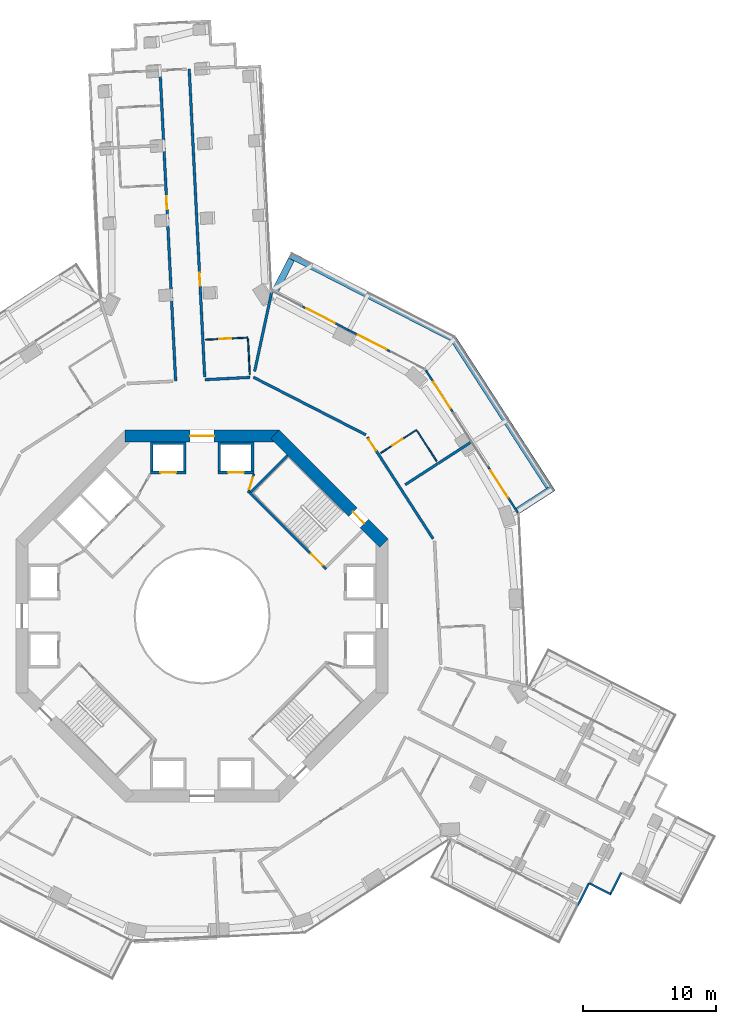
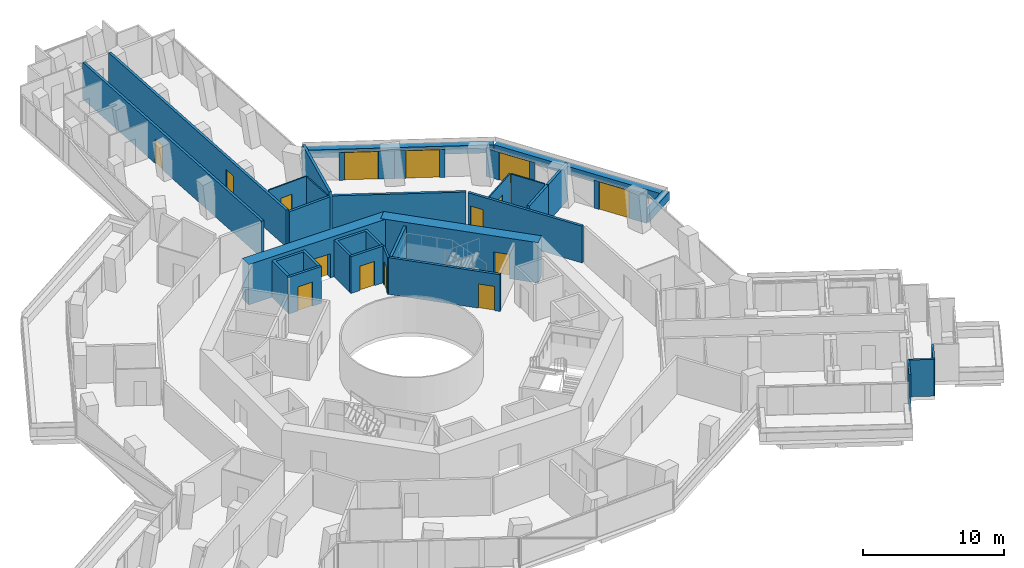
# One storey, part 21 of 25: 32 walls, 15 doors, 15 openings.
"""IFC4 building model written with IfcOpenShell, lengths in metres."""

from ifc_helpers import new_model, si_unit, direction, frame, frame_2d, origin, place, context, subcontext, project, spatial, polyline, rectangle, outline, extrude, material, layer, layer_set, type_object, element, fill, save


model = new_model("IFC4")

# Units and contexts
model_context = context("Model", 3, precision=1e-05, world=origin(), true_north=direction((0.0, 1.0)))
body_context = subcontext(model_context, "Body", "Model", "MODEL_VIEW")
ifc_project = project(units=[si_unit("LENGTHUNIT", "METRE"), si_unit("AREAUNIT", "SQUARE_METRE"), si_unit("VOLUMEUNIT", "CUBIC_METRE"), si_unit("PLANEANGLEUNIT", "RADIAN"), si_unit("MASSUNIT", "GRAM", prefix="KILO")], contexts=[model_context])

# Site, building, storey
site_placement = place(None, origin())
site = spatial("IfcSite", under=ifc_project, at=site_placement, CompositionType="ELEMENT")
building_placement = place(site_placement, origin())
building = spatial("IfcBuilding", under=site, at=building_placement, Name="Verdalira Terraces Hotel", CompositionType="ELEMENT")
storey_placement = place(building_placement, frame((0.0, 0.0, 46.0)))
storey = spatial("IfcBuildingStorey", under=building, at=storey_placement, Name="L09", CompositionType="ELEMENT", Elevation=46.0)

# Walls
ifc_material_1 = material(Name="Concrete C40", Category="concrete")
ifc_layer_1 = layer(ifc_material_1, 0.5)
ifc_layer_set_1 = layer_set([ifc_layer_1], Name="Balcony planter trough with tree")
wall_type_1 = type_object("IfcWallType", Name="Balcony planter trough with tree", PredefinedType="SOLIDWALL", material=ifc_layer_set_1)
wall_1_placement = place(storey_placement, frame((23.766113, 7.921143, 0.0), z_axis=(0.0, 0.0, 1.0), x_axis=(0.839844411, 0.542827196, 0.0)))
element("IfcWall", 1, at=wall_1_placement, inside=storey, type_object=wall_type_1, Name="Balcony planter", PredefinedType="SOLIDWALL", context=body_context, shape_type="SweptSolid", body=[
    extrude(rectangle(XDim=3.199219, YDim=0.5, at=frame_2d((1.599609, 0.0))), origin(), (0.0, 0.0, 1.0), 0.699951),
])
wall_2_placement = place(storey_placement, frame((26.107178, 9.731934, 0.0), z_axis=(0.0, 0.0, 1.0), x_axis=(-0.542889903, 0.839803878, 0.0)))
element("IfcWall", 2, at=wall_2_placement, inside=storey, type_object=wall_type_1, Name="Balcony planter", PredefinedType="SOLIDWALL", context=body_context, shape_type="SweptSolid", body=[
    extrude(rectangle(XDim=13.223633, YDim=0.5, at=frame_2d((6.611816, 0.0))), origin(), (0.0, 0.0, 1.0), 0.699951),
])
wall_3_placement = place(storey_placement, frame((18.832275, 20.924072, 0.0), z_axis=(0.0, 0.0, 1.0), x_axis=(-0.89005516, 0.45585284, 0.0)))
element("IfcWall", 3, at=wall_3_placement, inside=storey, type_object=wall_type_1, Name="Balcony planter", PredefinedType="SOLIDWALL", context=body_context, shape_type="SweptSolid", body=[
    extrude(rectangle(XDim=13.723389, YDim=0.5, at=frame_2d((6.861816, 0.0))), origin(), (0.0, 0.0, 1.0), 0.699951),
])
wall_4_placement = place(storey_placement, frame((6.726318, 26.843506, 0.0), z_axis=(0.0, 0.0, 1.0), x_axis=(-0.45587587, -0.890043365, 0.0)))
element("IfcWall", 4, at=wall_4_placement, inside=storey, type_object=wall_type_1, Name="Balcony planter", PredefinedType="SOLIDWALL", context=body_context, shape_type="SweptSolid", body=[
    extrude(rectangle(XDim=2.699219, YDim=0.5, at=frame_2d((1.349609, 0.0))), origin(), (0.0, 0.0, 1.0), 0.699951),
])

# Wall, opening, door
ifc_material_2 = material(Name="Moisture-resistant gypsum board partition")
ifc_layer_2 = layer(ifc_material_2, 0.10009765625)
ifc_layer_set_2 = layer_set([ifc_layer_2], Name="Bathroom partition 100 mm")
wall_type_2 = type_object("IfcWallType", Name="Bathroom partition 100 mm", PredefinedType="PARTITIONING", material=ifc_layer_set_2)
wall_5_placement = place(storey_placement, frame((3.451416, 20.958252, 0.0), z_axis=(0.0, 0.0, 1.0), x_axis=(-0.998735349, -0.050276266, 0.0)))
wall_5 = element("IfcWall", 5, at=wall_5_placement, inside=storey, type_object=wall_type_2, Name="Bathroom partition", PredefinedType="PARTITIONING", context=body_context, shape_type="SweptSolid", body=[
    extrude(rectangle(XDim=3.200195, YDim=0.100098, at=frame_2d((1.600098, 0.0))), origin(), (0.0, 0.0, 1.0), 3.189941),
])
opening_1_placement = place(wall_5_placement, frame((1.25, 0.0, 0.0)))
opening_1 = element("IfcOpeningElement", 6, at=opening_1_placement, cuts=wall_5, Name="Opening L09-102", PredefinedType="OPENING", context=body_context, shape_type="SweptSolid", body=[
    extrude(rectangle(XDim=0.899902, YDim=2.100098, at=frame_2d((0.449951, 1.050049))), frame((0.0, 0.060059, 0.0), z_axis=(0.0, -1.0, 0.0), x_axis=(1.0, 0.0, 0.0)), (0.0, 0.0, 1.0), 0.120117),
])
ifc_material_3 = material(Name="Timber door", Category="wood")
door_type_1 = type_object("IfcDoorType", Name="Bathroom door 900 x 2100", OperationType="NOTDEFINED", PredefinedType="DOOR", material=ifc_material_3)
door_1_placement = place(opening_1_placement, origin())
door_1 = element("IfcDoor", 7, at=door_1_placement, inside=storey, type_object=door_type_1, Name="Bathroom door 0901", OperationType="SINGLE_SWING_LEFT", OverallHeight=2.10009765625, OverallWidth=0.89990234375, PredefinedType="DOOR", context=body_context, shape_type="SweptSolid", body=[
    extrude(rectangle(XDim=0.899902, YDim=2.100098, at=frame_2d((0.449951, 1.050049))), frame((0.0, 0.024902, 0.0), z_axis=(0.0, -1.0, 0.0), x_axis=(1.0, 0.0, 0.0)), (0.0, 0.0, 1.0), 0.050049),
])
fill(opening_1, door_1)

# Wall
wall_6_placement = place(storey_placement, frame((3.456299, 20.858398, 0.0), z_axis=(0.0, 0.0, 1.0), x_axis=(0.050271319, -0.998735598, 0.0)))
element("IfcWall", 8, at=wall_6_placement, inside=storey, type_object=wall_type_2, Name="Bathroom partition", PredefinedType="PARTITIONING", context=body_context, shape_type="SweptSolid", body=[
    extrude(rectangle(XDim=2.700195, YDim=0.100098, at=frame_2d((1.350098, 0.0))), origin(), (0.0, 0.0, 1.0), 3.189941),
])

# Wall, opening, door
wall_7_placement = place(storey_placement, frame((16.140381, 14.005859, 0.0), z_axis=(0.0, 0.0, 1.0), x_axis=(-0.83984229, -0.542830477, 0.0)))
wall_7 = element("IfcWall", 9, at=wall_7_placement, inside=storey, type_object=wall_type_2, Name="Bathroom partition", PredefinedType="PARTITIONING", context=body_context, shape_type="SweptSolid", body=[
    extrude(rectangle(XDim=3.199951, YDim=0.100098, at=frame_2d((1.600098, 0.0))), origin(), (0.0, 0.0, 1.0), 3.189941),
])
opening_2_placement = place(wall_7_placement, frame((1.25, 0.0, 0.0)))
opening_2 = element("IfcOpeningElement", 10, at=opening_2_placement, cuts=wall_7, Name="Opening L09-132", PredefinedType="OPENING", context=body_context, shape_type="SweptSolid", body=[
    extrude(rectangle(XDim=0.899902, YDim=2.100098, at=frame_2d((0.449951, 1.050049))), frame((0.0, 0.060059, 0.0), z_axis=(0.0, -1.0, 0.0), x_axis=(1.0, 0.0, 0.0)), (0.0, 0.0, 1.0), 0.120117),
])
door_2_placement = place(opening_2_placement, origin())
door_2 = element("IfcDoor", 11, at=door_2_placement, inside=storey, type_object=door_type_1, Name="Bathroom door 0915", OperationType="SINGLE_SWING_LEFT", OverallHeight=2.10009765625, OverallWidth=0.89990234375, PredefinedType="DOOR", context=body_context, shape_type="SweptSolid", body=[
    extrude(rectangle(XDim=0.899902, YDim=2.100098, at=frame_2d((0.449951, 1.050049))), frame((0.0, 0.024902, 0.0), z_axis=(0.0, -1.0, 0.0), x_axis=(1.0, 0.0, 0.0)), (0.0, 0.0, 1.0), 0.050049),
])
fill(opening_2, door_2)

# Walls
wall_8_placement = place(storey_placement, frame((16.19458, 13.921875, 0.0), z_axis=(0.0, 0.0, 1.0), x_axis=(0.542876316, -0.839812661, 0.0)))
element("IfcWall", 12, at=wall_8_placement, inside=storey, type_object=wall_type_2, Name="Bathroom partition", PredefinedType="PARTITIONING", context=body_context, shape_type="SweptSolid", body=[
    extrude(rectangle(XDim=2.700195, YDim=0.100098, at=frame_2d((1.350098, 0.0))), origin(), (0.0, 0.0, 1.0), 3.189941),
])
ifc_material_4 = material(Name="Concrete C50", Category="concrete")
ifc_layer_3 = layer(ifc_material_4, 0.199951171875)
ifc_layer_set_3 = layer_set([ifc_layer_3], Name="Core RC wall 200 C50")
wall_type_3 = type_object("IfcWallType", Name="Core RC wall 200 C50", PredefinedType="SOLIDWALL", material=ifc_layer_set_3)
wall_9_placement = place(storey_placement, origin())
element("IfcWall", 13, at=wall_9_placement, inside=storey, type_object=wall_type_3, Name="L09 shaft wall N1", PredefinedType="SOLIDWALL", context=body_context, shape_type="SweptSolid", body=[
    extrude(outline(polyline([(3.899902, 13.100098), (3.899902, 10.899902), (3.699951, 10.899902), (3.699951, 12.899902), (1.399902, 12.899902), (1.399902, 10.899902), (1.199951, 10.899902), (1.199951, 13.100098), (3.899902, 13.100098)])), origin(), (0.0, 0.0, 1.0), 3.189941),
])

# Wall, opening, door
wall_10_placement = place(storey_placement, frame((1.199951, 10.800049, 0.0), z_axis=(0.0, 0.0, 1.0), x_axis=(1.0, 0.0, 0.0)))
wall_10 = element("IfcWall", 14, at=wall_10_placement, inside=storey, type_object=wall_type_3, Name="L09 shaft front wall N1", PredefinedType="SOLIDWALL", context=body_context, shape_type="SweptSolid", body=[
    extrude(rectangle(XDim=2.699951, YDim=0.199951, at=frame_2d((1.350098, 0.0))), origin(), (0.0, 0.0, 1.0), 3.189941),
])
opening_3_placement = place(wall_10_placement, frame((0.75, 0.0, 0.0)))
opening_3 = element("IfcOpeningElement", 15, at=opening_3_placement, cuts=wall_10, Name="Opening LD-L09-803", PredefinedType="OPENING", context=body_context, shape_type="SweptSolid", body=[
    extrude(rectangle(XDim=1.199951, YDim=2.100098, at=frame_2d((0.600098, 1.050049))), frame((0.0, 0.109863, 0.0), z_axis=(0.0, -1.0, 0.0), x_axis=(1.0, 0.0, 0.0)), (0.0, 0.0, 1.0), 0.219971),
])
ifc_material_5 = material(Name="Stainless steel", Category="steel")
door_type_2 = type_object("IfcDoorType", Name="Landing door 1200 x 2100", OperationType="NOTDEFINED", PredefinedType="DOOR", material=ifc_material_5)
door_3_placement = place(opening_3_placement, origin())
door_3 = element("IfcDoor", 16, at=door_3_placement, inside=storey, type_object=door_type_2, Name="Lift landing door LR3 L09", OperationType="DOUBLE_DOOR_SLIDING", OverallHeight=2.10009765625, OverallWidth=1.199951171875, PredefinedType="DOOR", context=body_context, shape_type="SweptSolid", body=[
    extrude(rectangle(XDim=1.199951, YDim=2.100098, at=frame_2d((0.600098, 1.050049))), frame((0.0, 0.024902, 0.0), z_axis=(0.0, -1.0, 0.0), x_axis=(1.0, 0.0, 0.0)), (0.0, 0.0, 1.0), 0.050049),
])
fill(opening_3, door_3)

# Wall
wall_11_placement = place(storey_placement, origin())
element("IfcWall", 17, at=wall_11_placement, inside=storey, type_object=wall_type_3, Name="L09 shaft wall N2", PredefinedType="SOLIDWALL", context=body_context, shape_type="SweptSolid", body=[
    extrude(outline(polyline([(-3.899902, 10.899902), (-3.899902, 13.100098), (-1.199951, 13.100098), (-1.199951, 10.899902), (-1.399902, 10.899902), (-1.399902, 12.899902), (-3.699951, 12.899902), (-3.699951, 10.899902), (-3.899902, 10.899902)])), origin(), (0.0, 0.0, 1.0), 3.189941),
])

# Wall, opening, door
wall_12_placement = place(storey_placement, frame((-1.199951, 10.800049, 0.0), z_axis=(0.0, 0.0, 1.0), x_axis=(-1.0, 0.0, 0.0)))
wall_12 = element("IfcWall", 18, at=wall_12_placement, inside=storey, type_object=wall_type_3, Name="L09 shaft front wall N2", PredefinedType="SOLIDWALL", context=body_context, shape_type="SweptSolid", body=[
    extrude(rectangle(XDim=2.699951, YDim=0.199951, at=frame_2d((1.350098, 0.0))), origin(), (0.0, 0.0, 1.0), 3.189941),
])
opening_4_placement = place(wall_12_placement, frame((0.75, 0.0, 0.0)))
opening_4 = element("IfcOpeningElement", 19, at=opening_4_placement, cuts=wall_12, Name="Opening LD-L09-804", PredefinedType="OPENING", context=body_context, shape_type="SweptSolid", body=[
    extrude(rectangle(XDim=1.199951, YDim=2.100098, at=frame_2d((0.600098, 1.050049))), frame((0.0, 0.109863, 0.0), z_axis=(0.0, -1.0, 0.0), x_axis=(1.0, 0.0, 0.0)), (0.0, 0.0, 1.0), 0.219971),
])
door_4_placement = place(opening_4_placement, origin())
door_4 = element("IfcDoor", 20, at=door_4_placement, inside=storey, type_object=door_type_2, Name="Lift landing door LR4 L09", OperationType="DOUBLE_DOOR_SLIDING", OverallHeight=2.10009765625, OverallWidth=1.199951171875, PredefinedType="DOOR", context=body_context, shape_type="SweptSolid", body=[
    extrude(rectangle(XDim=1.199951, YDim=2.100098, at=frame_2d((0.600098, 1.050049))), frame((0.0, 0.024902, 0.0), z_axis=(0.0, -1.0, 0.0), x_axis=(1.0, 0.0, 0.0)), (0.0, 0.0, 1.0), 0.050049),
])
fill(opening_4, door_4)

wall_13_placement = place(storey_placement, frame((3.5354, 9.33374, 0.0), z_axis=(0.0, 0.0, 1.0), x_axis=(0.707106781, -0.707106781, 0.0)))
wall_13 = element("IfcWall", 21, at=wall_13_placement, inside=storey, type_object=wall_type_3, Name="L09 stair ST1 front wall", PredefinedType="SOLIDWALL", context=body_context, shape_type="SweptSolid", body=[
    extrude(rectangle(XDim=8.200195, YDim=0.199951, at=frame_2d((4.100098, 0.0))), origin(), (0.0, 0.0, 1.0), 3.189941),
])
opening_5_placement = place(wall_13_placement, frame((6.600098, 0.0, 0.0)))
opening_5 = element("IfcOpeningElement", 22, at=opening_5_placement, cuts=wall_13, Name="Opening L09-809", PredefinedType="OPENING", context=body_context, shape_type="SweptSolid", body=[
    extrude(rectangle(XDim=1.199951, YDim=2.100098, at=frame_2d((0.600098, 1.050049))), frame((0.0, 0.109863, 0.0), z_axis=(0.0, -1.0, 0.0), x_axis=(1.0, 0.0, 0.0)), (0.0, 0.0, 1.0), 0.219971),
])
ifc_material_6 = material(Name="Steel fire door", Category="steel")
door_type_3 = type_object("IfcDoorType", Name="Stair door 1200 x 2100", OperationType="NOTDEFINED", PredefinedType="DOOR", material=ifc_material_6)
door_5_placement = place(opening_5_placement, origin())
door_5 = element("IfcDoor", 23, at=door_5_placement, inside=storey, type_object=door_type_3, Name="Stair door ST1 L09", OperationType="SINGLE_SWING_RIGHT", OverallHeight=2.10009765625, OverallWidth=1.199951171875, PredefinedType="DOOR", context=body_context, shape_type="SweptSolid", body=[
    extrude(rectangle(XDim=1.199951, YDim=2.100098, at=frame_2d((0.600098, 1.050049))), frame((0.0, 0.024902, 0.0), z_axis=(0.0, -1.0, 0.0), x_axis=(1.0, 0.0, 0.0)), (0.0, 0.0, 1.0), 0.050049),
])
fill(opening_5, door_5)

# Wall
wall_14_placement = place(storey_placement, frame((3.677002, 9.33374, 0.0), z_axis=(0.0, 0.0, 1.0), x_axis=(0.707106781, 0.707106781, 0.0)))
element("IfcWall", 24, at=wall_14_placement, inside=storey, type_object=wall_type_3, Name="L09 stair ST1 end wall 2", PredefinedType="SOLIDWALL", context=body_context, shape_type="SweptSolid", body=[
    extrude(rectangle(XDim=3.900146, YDim=0.199951, at=frame_2d((1.950195, 0.0))), origin(), (0.0, 0.0, 1.0), 3.189941),
])

# Wall, opening, door
ifc_material_7 = material(Name="Gypsum board partition")
ifc_layer_4 = layer(ifc_material_7, 0.14990234375)
ifc_layer_set_4 = layer_set([ifc_layer_4], Name="Core partition 150 mm")
wall_type_4 = type_object("IfcWallType", Name="Core partition 150 mm", PredefinedType="PARTITIONING", material=ifc_layer_set_4)
wall_15_placement = place(storey_placement, frame((3.464844, 9.263184, 0.0), z_axis=(0.0, 0.0, 1.0), x_axis=(0.289808785, 0.957084567, 0.0)))
wall_15 = element("IfcWall", 25, at=wall_15_placement, inside=storey, type_object=wall_type_4, Name="Room partition L09", PredefinedType="PARTITIONING", context=body_context, shape_type="SweptSolid", body=[
    extrude(rectangle(XDim=1.501221, YDim=0.149902, at=frame_2d((0.750488, 0.0))), origin(), (0.0, 0.0, 1.0), 3.189941),
])
opening_6_placement = place(wall_15_placement, frame((0.300781, 0.0, 0.0)))
opening_6 = element("IfcOpeningElement", 26, at=opening_6_placement, cuts=wall_15, Name="Opening L09-820", PredefinedType="OPENING", context=body_context, shape_type="SweptSolid", body=[
    extrude(rectangle(XDim=0.899902, YDim=2.100098, at=frame_2d((0.449951, 1.050049))), frame((0.0, 0.084961, 0.0), z_axis=(0.0, -1.0, 0.0), x_axis=(1.0, 0.0, 0.0)), (0.0, 0.0, 1.0), 0.169922),
])
ifc_material_8 = material(Name="Steel fire door", Category="steel")
door_type_4 = type_object("IfcDoorType", Name="Core room door 900 x 2100", OperationType="NOTDEFINED", PredefinedType="DOOR", material=ifc_material_8)
door_6_placement = place(opening_6_placement, origin())
door_6 = element("IfcDoor", 27, at=door_6_placement, inside=storey, type_object=door_type_4, Name="Door L09 room1", OperationType="SINGLE_SWING_LEFT", OverallHeight=2.10009765625, OverallWidth=0.89990234375, PredefinedType="DOOR", context=body_context, shape_type="SweptSolid", body=[
    extrude(rectangle(XDim=0.899902, YDim=2.100098, at=frame_2d((0.449951, 1.050049))), frame((0.0, 0.024902, 0.0), z_axis=(0.0, -1.0, 0.0), x_axis=(1.0, 0.0, 0.0)), (0.0, 0.0, 1.0), 0.050049),
])
fill(opening_6, door_6)

ifc_material_9 = material(Name="Concrete C70", Category="concrete")
ifc_layer_5 = layer(ifc_material_9, 0.89990234375)
ifc_layer_set_5 = layer_set([ifc_layer_5], Name="Core wall 900 C70")
wall_type_5 = type_object("IfcWallType", Name="Core wall 900 C70", PredefinedType="SHEAR", material=ifc_layer_set_5)
wall_16_placement = place(storey_placement, frame((13.681885, 5.480713, 0.0), z_axis=(0.0, 0.0, 1.0), x_axis=(-0.707106781, 0.707106781, 0.0)))
wall_16 = element("IfcWall", 28, at=wall_16_placement, inside=storey, type_object=wall_type_5, Name="Core wall CW-L09-2", PredefinedType="SHEAR", context=body_context, shape_type="SweptSolid", body=[
    extrude(rectangle(XDim=11.598145, YDim=0.899902, at=frame_2d((5.799072, 0.0))), origin(), (0.0, 0.0, 1.0), 3.5),
])
opening_7_placement = place(wall_16_placement, frame((2.099121, 0.0, 0.0)))
opening_7 = element("IfcOpeningElement", 29, at=opening_7_placement, cuts=wall_16, Name="Opening L09-816", PredefinedType="OPENING", context=body_context, shape_type="SweptSolid", body=[
    extrude(rectangle(XDim=1.199951, YDim=2.100098, at=frame_2d((0.600098, 1.050049))), frame((0.0, 0.459961, 0.0), z_axis=(0.0, -1.0, 0.0), x_axis=(1.0, 0.0, 0.0)), (0.0, 0.0, 1.0), 0.919922),
])
door_7_placement = place(opening_7_placement, origin())
door_7 = element("IfcDoor", 30, at=door_7_placement, inside=storey, type_object=door_type_3, Name="Stair exit door ST1 L09", OperationType="SINGLE_SWING_LEFT", OverallHeight=2.10009765625, OverallWidth=1.199951171875, PredefinedType="DOOR", context=body_context, shape_type="SweptSolid", body=[
    extrude(rectangle(XDim=1.199951, YDim=2.100098, at=frame_2d((0.600098, 1.050049))), frame((0.0, 0.024902, 0.0), z_axis=(0.0, -1.0, 0.0), x_axis=(1.0, 0.0, 0.0)), (0.0, 0.0, 1.0), 0.050049),
])
fill(opening_7, door_7)

wall_17_placement = place(storey_placement, frame((5.799072, 13.550049, 0.0), z_axis=(0.0, 0.0, 1.0), x_axis=(-1.0, 0.0, 0.0)))
wall_17 = element("IfcWall", 31, at=wall_17_placement, inside=storey, type_object=wall_type_5, Name="Core wall CW-L09-3", PredefinedType="SHEAR", context=body_context, shape_type="SweptSolid", body=[
    extrude(rectangle(XDim=11.598145, YDim=0.899902, at=frame_2d((5.799072, 0.0))), origin(), (0.0, 0.0, 1.0), 3.5),
])
opening_8_placement = place(wall_17_placement, frame((4.898926, 0.0, 0.0)))
opening_8 = element("IfcOpeningElement", 32, at=opening_8_placement, cuts=wall_17, Name="Opening L09-813", PredefinedType="OPENING", context=body_context, shape_type="SweptSolid", body=[
    extrude(rectangle(XDim=1.800049, YDim=2.100098, at=frame_2d((0.899902, 1.050049))), frame((0.0, 0.459961, 0.0), z_axis=(0.0, -1.0, 0.0), x_axis=(1.0, 0.0, 0.0)), (0.0, 0.0, 1.0), 0.919922),
])
ifc_material_10 = material(Name="Steel fire door", Category="steel")
door_type_5 = type_object("IfcDoorType", Name="Core entry door pair 1800 x 2100", OperationType="NOTDEFINED", PredefinedType="DOOR", material=ifc_material_10)
door_8_placement = place(opening_8_placement, origin())
door_8 = element("IfcDoor", 33, at=door_8_placement, inside=storey, type_object=door_type_5, Name="Core entry door L09 2", OperationType="DOUBLE_DOOR_SINGLE_SWING", OverallHeight=2.10009765625, OverallWidth=1.800048828125, PredefinedType="DOOR", context=body_context, shape_type="SweptSolid", body=[
    extrude(rectangle(XDim=1.800049, YDim=2.100098, at=frame_2d((0.899902, 1.050049))), frame((0.0, 0.024902, 0.0), z_axis=(0.0, -1.0, 0.0), x_axis=(1.0, 0.0, 0.0)), (0.0, 0.0, 1.0), 0.050049),
])
fill(opening_8, door_8)

# Walls
ifc_material_11 = material(Name="Fire-rated gypsum board wall")
ifc_layer_6 = layer(ifc_material_11, 0.199951171875)
ifc_layer_set_6 = layer_set([ifc_layer_6], Name="Demising wall 200 mm")
wall_type_6 = type_object("IfcWallType", Name="Demising wall 200 mm", PredefinedType="SOLIDWALL", material=ifc_layer_set_6)
wall_18_placement = place(storey_placement, frame((5.241455, 24.407715, 0.0), z_axis=(0.0, 0.0, 1.0), x_axis=(-0.209939641, -0.977714348, 0.0)))
element("IfcWall", 34, at=wall_18_placement, inside=storey, type_object=wall_type_6, Name="Demising wall", PredefinedType="SOLIDWALL", context=body_context, shape_type="SweptSolid", body=[
    extrude(rectangle(XDim=6.13208, YDim=0.199951, at=frame_2d((3.065918, 0.0))), origin(), (0.0, 0.0, 1.0), 3.189941),
])
wall_19_placement = place(storey_placement, frame((15.289307, 9.883545, 0.0), z_axis=(0.0, 0.0, 1.0), x_axis=(0.839815863, 0.542871363, 0.0)))
element("IfcWall", 35, at=wall_19_placement, inside=storey, type_object=wall_type_6, Name="Demising wall", PredefinedType="SOLIDWALL", context=body_context, shape_type="SweptSolid", body=[
    extrude(rectangle(XDim=2.904785, YDim=0.199951, at=frame_2d((1.452393, 0.0))), origin(), (0.0, 0.0, 1.0), 3.189941),
])
wall_20_placement = place(storey_placement, frame((17.767334, 11.485352, 0.0), z_axis=(0.0, 0.0, 1.0), x_axis=(0.839805289, 0.542887721, 0.0)))
element("IfcWall", 36, at=wall_20_placement, inside=storey, type_object=wall_type_6, Name="Demising wall", PredefinedType="SOLIDWALL", context=body_context, shape_type="SweptSolid", body=[
    extrude(rectangle(XDim=2.951904, YDim=0.199951, at=frame_2d((1.476074, 0.0))), origin(), (0.0, 0.0, 1.0), 3.189941),
])

# Wall, opening, door
ifc_material_12 = material(Name="Fire-rated gypsum board wall")
ifc_layer_7 = layer(ifc_material_12, 0.199951171875)
ifc_layer_set_7 = layer_set([ifc_layer_7], Name="Guest corridor wall 200 mm")
wall_type_7 = type_object("IfcWallType", Name="Guest corridor wall 200 mm", PredefinedType="SOLIDWALL", material=ifc_layer_set_7)
wall_21_placement = place(storey_placement, frame((-1.990967, 17.680664, 0.0), z_axis=(0.0, 0.0, 1.0), x_axis=(-0.050235008, 0.998737425, 0.0)))
wall_21 = element("IfcWall", 37, at=wall_21_placement, inside=storey, type_object=wall_type_7, Name="Guest corridor wall", PredefinedType="SOLIDWALL", context=body_context, shape_type="SweptSolid", body=[
    extrude(rectangle(XDim=23.420166, YDim=0.199951, at=frame_2d((11.709961, 0.0))), origin(), (0.0, 0.0, 1.0), 3.189941),
])
opening_9_placement = place(wall_21_placement, frame((12.949951, 0.0, 0.0)))
opening_9 = element("IfcOpeningElement", 38, at=opening_9_placement, cuts=wall_21, Name="Opening L09-106", PredefinedType="OPENING", context=body_context, shape_type="SweptSolid", body=[
    extrude(rectangle(XDim=1.0, YDim=2.100098, at=frame_2d((0.5, 1.050049))), frame((0.0, 0.109863, 0.0), z_axis=(0.0, -1.0, 0.0), x_axis=(1.0, 0.0, 0.0)), (0.0, 0.0, 1.0), 0.219971),
])
ifc_material_13 = material(Name="Timber fire door", Category="wood")
door_type_6 = type_object("IfcDoorType", Name="Guest entry door 1000 x 2100", OperationType="NOTDEFINED", PredefinedType="DOOR", material=ifc_material_13)
door_9_placement = place(opening_9_placement, origin())
door_9 = element("IfcDoor", 39, at=door_9_placement, inside=storey, type_object=door_type_6, Name="Guest entry door 0903", OperationType="SINGLE_SWING_LEFT", OverallHeight=2.10009765625, OverallWidth=1.0, PredefinedType="DOOR", context=body_context, shape_type="SweptSolid", body=[
    extrude(rectangle(XDim=1.0, YDim=2.100098, at=frame_2d((0.5, 1.050049))), frame((0.0, 0.024902, 0.0), z_axis=(0.0, -1.0, 0.0), x_axis=(1.0, 0.0, 0.0)), (0.0, 0.0, 1.0), 0.050049),
])
fill(opening_9, door_9)

wall_22_placement = place(storey_placement, frame((-0.970459, 41.181641, 0.0), z_axis=(0.0, 0.0, 1.0), x_axis=(0.050247535, -0.998736795, 0.0)))
wall_22 = element("IfcWall", 40, at=wall_22_placement, inside=storey, type_object=wall_type_7, Name="Guest corridor wall", PredefinedType="SOLIDWALL", context=body_context, shape_type="SweptSolid", body=[
    extrude(rectangle(XDim=23.219971, YDim=0.199951, at=frame_2d((11.609863, 0.0))), origin(), (0.0, 0.0, 1.0), 3.189941),
])
opening_10_placement = place(wall_22_placement, frame((15.350098, 0.0, 0.0)))
opening_10 = element("IfcOpeningElement", 41, at=opening_10_placement, cuts=wall_22, Name="Opening L09-101", PredefinedType="OPENING", context=body_context, shape_type="SweptSolid", body=[
    extrude(rectangle(XDim=1.0, YDim=2.100098, at=frame_2d((0.5, 1.050049))), frame((0.0, 0.109863, 0.0), z_axis=(0.0, -1.0, 0.0), x_axis=(1.0, 0.0, 0.0)), (0.0, 0.0, 1.0), 0.219971),
])
door_10_placement = place(opening_10_placement, origin())
door_10 = element("IfcDoor", 42, at=door_10_placement, inside=storey, type_object=door_type_6, Name="Guest entry door 0901", OperationType="SINGLE_SWING_LEFT", OverallHeight=2.10009765625, OverallWidth=1.0, PredefinedType="DOOR", context=body_context, shape_type="SweptSolid", body=[
    extrude(rectangle(XDim=1.0, YDim=2.100098, at=frame_2d((0.5, 1.050049))), frame((0.0, 0.024902, 0.0), z_axis=(0.0, -1.0, 0.0), x_axis=(1.0, 0.0, 0.0)), (0.0, 0.0, 1.0), 0.050049),
])
fill(opening_10, door_10)

# Walls
wall_23_placement = place(storey_placement, frame((3.602051, 17.961914, 0.0), z_axis=(0.0, 0.0, 1.0), x_axis=(-0.998739593, -0.050191888, 0.0)))
element("IfcWall", 43, at=wall_23_placement, inside=storey, type_object=wall_type_7, Name="Guest corridor wall", PredefinedType="SOLIDWALL", context=body_context, shape_type="SweptSolid", body=[
    extrude(rectangle(XDim=3.400146, YDim=0.199951, at=frame_2d((1.700195, 0.0))), origin(), (0.0, 0.0, 1.0), 3.189941),
])
wall_24_placement = place(storey_placement, frame((12.329834, 13.636963, 0.0), z_axis=(0.0, 0.0, 1.0), x_axis=(-0.890044127, 0.455874383, 0.0)))
element("IfcWall", 44, at=wall_24_placement, inside=storey, type_object=wall_type_7, Name="Guest corridor wall", PredefinedType="SOLIDWALL", context=body_context, shape_type="SweptSolid", body=[
    extrude(rectangle(XDim=9.516113, YDim=0.199951, at=frame_2d((4.758057, 0.0))), origin(), (0.0, 0.0, 1.0), 3.189941),
])

# Wall, opening, door
wall_25_placement = place(storey_placement, frame((12.439209, 13.468262, 0.0), z_axis=(0.0, 0.0, 1.0), x_axis=(0.542889201, -0.839804331, 0.0)))
wall_25 = element("IfcWall", 45, at=wall_25_placement, inside=storey, type_object=wall_type_7, Name="Guest corridor wall", PredefinedType="SOLIDWALL", context=body_context, shape_type="SweptSolid", body=[
    extrude(rectangle(XDim=9.115479, YDim=0.199951, at=frame_2d((4.557617, 0.0))), origin(), (0.0, 0.0, 1.0), 3.189941),
])
opening_11_placement = place(wall_25_placement, frame((0.199951, 0.0, 0.0)))
opening_11 = element("IfcOpeningElement", 46, at=opening_11_placement, cuts=wall_25, Name="Opening L09-131", PredefinedType="OPENING", context=body_context, shape_type="SweptSolid", body=[
    extrude(rectangle(XDim=1.0, YDim=2.100098, at=frame_2d((0.5, 1.050049))), frame((0.0, 0.109863, 0.0), z_axis=(0.0, -1.0, 0.0), x_axis=(1.0, 0.0, 0.0)), (0.0, 0.0, 1.0), 0.219971),
])
door_11_placement = place(opening_11_placement, origin())
door_11 = element("IfcDoor", 47, at=door_11_placement, inside=storey, type_object=door_type_6, Name="Guest entry door 0915", OperationType="SINGLE_SWING_LEFT", OverallHeight=2.10009765625, OverallWidth=1.0, PredefinedType="DOOR", context=body_context, shape_type="SweptSolid", body=[
    extrude(rectangle(XDim=1.0, YDim=2.100098, at=frame_2d((0.5, 1.050049))), frame((0.0, 0.024902, 0.0), z_axis=(0.0, -1.0, 0.0), x_axis=(1.0, 0.0, 0.0)), (0.0, 0.0, 1.0), 0.050049),
])
fill(opening_11, door_11)

# Walls
ifc_material_14 = material(Name="Terracotta cladding", Category="masonry")
ifc_layer_8 = layer(ifc_material_14, 0.14990234375)
ifc_layer_set_8 = layer_set([ifc_layer_8], Name="Terracotta clad wall 150")
wall_type_8 = type_object("IfcWallType", Name="Terracotta clad wall 150", PredefinedType="SOLIDWALL", material=ifc_layer_set_8)
wall_26_placement = place(storey_placement, frame((28.281006, -21.787598, 0.0), z_axis=(0.0, 0.0, 1.0), x_axis=(0.455838134, 0.890062692, 0.0)))
element("IfcWall", 48, at=wall_26_placement, inside=storey, type_object=wall_type_8, Name="Terracotta cladding wall", PredefinedType="SOLIDWALL", context=body_context, shape_type="SweptSolid", body=[
    extrude(rectangle(XDim=1.875, YDim=0.149902, at=frame_2d((0.9375, 0.0))), origin(), (0.0, 0.0, 1.0), 3.189941),
])
wall_27_placement = place(storey_placement, frame((29.135742, -20.118652, 0.0), z_axis=(0.0, 0.0, 1.0), x_axis=(0.890044707, -0.455873249, 0.0)))
element("IfcWall", 49, at=wall_27_placement, inside=storey, type_object=wall_type_8, Name="Terracotta cladding wall", PredefinedType="SOLIDWALL", context=body_context, shape_type="SweptSolid", body=[
    extrude(rectangle(XDim=1.800049, YDim=0.149902, at=frame_2d((0.899902, 0.0))), origin(), (0.0, 0.0, 1.0), 3.189941),
])
wall_28_placement = place(storey_placement, frame((30.703613, -21.005859, 0.0), z_axis=(0.0, 0.0, 1.0), x_axis=(0.455890966, 0.890035633, 0.0)))
element("IfcWall", 50, at=wall_28_placement, inside=storey, type_object=wall_type_8, Name="Terracotta cladding wall", PredefinedType="SOLIDWALL", context=body_context, shape_type="SweptSolid", body=[
    extrude(rectangle(XDim=1.874756, YDim=0.149902, at=frame_2d((0.9375, 0.0))), origin(), (0.0, 0.0, 1.0), 3.189941),
])

# Wall, opening, door
ifc_material_15 = material(Name="Terracotta cladding", Category="masonry")
ifc_layer_9 = layer(ifc_material_15, 0.14990234375)
ifc_layer_set_9 = layer_set([ifc_layer_9], Name="Terracotta door pier 150")
wall_type_9 = type_object("IfcWallType", Name="Terracotta door pier 150", PredefinedType="SOLIDWALL", material=ifc_layer_set_9)
wall_29_placement = place(storey_placement, frame((23.783691, 7.75415, 0.0), z_axis=(0.0, 0.0, 1.0), x_axis=(-0.542889562, 0.839804098, 0.0)))
wall_29 = element("IfcWall", 51, at=wall_29_placement, inside=storey, type_object=wall_type_9, Name="Terracotta door pier", PredefinedType="SOLIDWALL", context=body_context, shape_type="SweptSolid", body=[
    extrude(rectangle(XDim=4.198486, YDim=0.149902, at=frame_2d((2.099121, 0.0))), origin(), (0.0, 0.0, 1.0), 2.425049),
])
opening_12_placement = place(wall_29_placement, frame((1.398682, 0.0, 0.0)))
opening_12 = element("IfcOpeningElement", 52, at=opening_12_placement, cuts=wall_29, Name="Opening L09-B17", PredefinedType="OPENING", context=body_context, shape_type="SweptSolid", body=[
    extrude(rectangle(XDim=2.399902, YDim=2.399902, at=frame_2d((1.199951, 1.199951))), frame((0.0, 0.084961, 0.0), z_axis=(0.0, -1.0, 0.0), x_axis=(1.0, 0.0, 0.0)), (0.0, 0.0, 1.0), 0.169922),
])
ifc_material_16 = material(Name="Clear glass", Category="glass")
door_type_7 = type_object("IfcDoorType", Name="Balcony sliding door 2400x2400", OperationType="NOTDEFINED", PredefinedType="DOOR", material=ifc_material_16)
door_12_placement = place(opening_12_placement, origin())
door_12 = element("IfcDoor", 53, at=door_12_placement, inside=storey, type_object=door_type_7, Name="Balcony sliding door", OperationType="SLIDING_TO_LEFT", OverallHeight=2.39990234375, OverallWidth=2.39990234375, PredefinedType="DOOR", context=body_context, shape_type="SweptSolid", body=[
    extrude(rectangle(XDim=2.399902, YDim=2.399902, at=frame_2d((1.199951, 1.199951))), frame((0.0, 0.024902, 0.0), z_axis=(0.0, -1.0, 0.0), x_axis=(1.0, 0.0, 0.0)), (0.0, 0.0, 1.0), 0.050049),
])
fill(opening_12, door_12)

wall_30_placement = place(storey_placement, frame((18.920654, 15.2771, 0.0), z_axis=(0.0, 0.0, 1.0), x_axis=(-0.542898146, 0.839798549, 0.0)))
wall_30 = element("IfcWall", 54, at=wall_30_placement, inside=storey, type_object=wall_type_9, Name="Terracotta door pier", PredefinedType="SOLIDWALL", context=body_context, shape_type="SweptSolid", body=[
    extrude(rectangle(XDim=3.841797, YDim=0.149902, at=frame_2d((1.920898, 0.0))), origin(), (0.0, 0.0, 1.0), 2.425049),
])
opening_13_placement = place(wall_30_placement, frame((0.399902, 0.0, 0.0)))
opening_13 = element("IfcOpeningElement", 55, at=opening_13_placement, cuts=wall_30, Name="Opening L09-B18", PredefinedType="OPENING", context=body_context, shape_type="SweptSolid", body=[
    extrude(rectangle(XDim=2.399902, YDim=2.399902, at=frame_2d((1.199951, 1.199951))), frame((0.0, 0.084961, 0.0), z_axis=(0.0, -1.0, 0.0), x_axis=(1.0, 0.0, 0.0)), (0.0, 0.0, 1.0), 0.169922),
])
door_13_placement = place(opening_13_placement, origin())
door_13 = element("IfcDoor", 56, at=door_13_placement, inside=storey, type_object=door_type_7, Name="Balcony sliding door", OperationType="SLIDING_TO_RIGHT", OverallHeight=2.39990234375, OverallWidth=2.39990234375, PredefinedType="DOOR", context=body_context, shape_type="SweptSolid", body=[
    extrude(rectangle(XDim=2.399902, YDim=2.399902, at=frame_2d((1.199951, 1.199951))), frame((0.0, 0.024902, 0.0), z_axis=(0.0, -1.0, 0.0), x_axis=(1.0, 0.0, 0.0)), (0.0, 0.0, 1.0), 0.050049),
])
fill(opening_13, door_13)

wall_31_placement = place(storey_placement, frame((14.228271, 19.883301, 0.0), z_axis=(0.0, 0.0, 1.0), x_axis=(-0.890044707, 0.455873249, 0.0)))
wall_31 = element("IfcWall", 57, at=wall_31_placement, inside=storey, type_object=wall_type_9, Name="Terracotta door pier", PredefinedType="SOLIDWALL", context=body_context, shape_type="SweptSolid", body=[
    extrude(rectangle(XDim=3.599854, YDim=0.149902, at=frame_2d((1.799805, 0.0))), origin(), (0.0, 0.0, 1.0), 2.425049),
])
opening_14_placement = place(wall_31_placement, frame((0.399902, 0.0, 0.0)))
opening_14 = element("IfcOpeningElement", 58, at=opening_14_placement, cuts=wall_31, Name="Opening L09-B19", PredefinedType="OPENING", context=body_context, shape_type="SweptSolid", body=[
    extrude(rectangle(XDim=2.399902, YDim=2.399902, at=frame_2d((1.199951, 1.199951))), frame((0.0, 0.084961, 0.0), z_axis=(0.0, -1.0, 0.0), x_axis=(1.0, 0.0, 0.0)), (0.0, 0.0, 1.0), 0.169922),
])
door_14_placement = place(opening_14_placement, origin())
door_14 = element("IfcDoor", 59, at=door_14_placement, inside=storey, type_object=door_type_7, Name="Balcony sliding door", OperationType="SLIDING_TO_RIGHT", OverallHeight=2.39990234375, OverallWidth=2.39990234375, PredefinedType="DOOR", context=body_context, shape_type="SweptSolid", body=[
    extrude(rectangle(XDim=2.399902, YDim=2.399902, at=frame_2d((1.199951, 1.199951))), frame((0.0, 0.024902, 0.0), z_axis=(0.0, -1.0, 0.0), x_axis=(1.0, 0.0, 0.0)), (0.0, 0.0, 1.0), 0.050049),
])
fill(opening_14, door_14)

wall_32_placement = place(storey_placement, frame((11.02417, 21.524414, 0.0), z_axis=(0.0, 0.0, 1.0), x_axis=(-0.890058005, 0.455847285, 0.0)))
wall_32 = element("IfcWall", 60, at=wall_32_placement, inside=storey, type_object=wall_type_9, Name="Terracotta door pier", PredefinedType="SOLIDWALL", context=body_context, shape_type="SweptSolid", body=[
    extrude(rectangle(XDim=3.960693, YDim=0.149902, at=frame_2d((1.980469, 0.0))), origin(), (0.0, 0.0, 1.0), 2.425049),
])
opening_15_placement = place(wall_32_placement, frame((1.1604, 0.0, 0.0)))
opening_15 = element("IfcOpeningElement", 61, at=opening_15_placement, cuts=wall_32, Name="Opening L09-B20", PredefinedType="OPENING", context=body_context, shape_type="SweptSolid", body=[
    extrude(rectangle(XDim=2.399902, YDim=2.399902, at=frame_2d((1.199951, 1.199951))), frame((0.0, 0.084961, 0.0), z_axis=(0.0, -1.0, 0.0), x_axis=(1.0, 0.0, 0.0)), (0.0, 0.0, 1.0), 0.169922),
])
door_15_placement = place(opening_15_placement, origin())
door_15 = element("IfcDoor", 62, at=door_15_placement, inside=storey, type_object=door_type_7, Name="Balcony sliding door", OperationType="SLIDING_TO_LEFT", OverallHeight=2.39990234375, OverallWidth=2.39990234375, PredefinedType="DOOR", context=body_context, shape_type="SweptSolid", body=[
    extrude(rectangle(XDim=2.399902, YDim=2.399902, at=frame_2d((1.199951, 1.199951))), frame((0.0, 0.024902, 0.0), z_axis=(0.0, -1.0, 0.0), x_axis=(1.0, 0.0, 0.0)), (0.0, 0.0, 1.0), 0.050049),
])
fill(opening_15, door_15)

save(model, "model.ifc")
